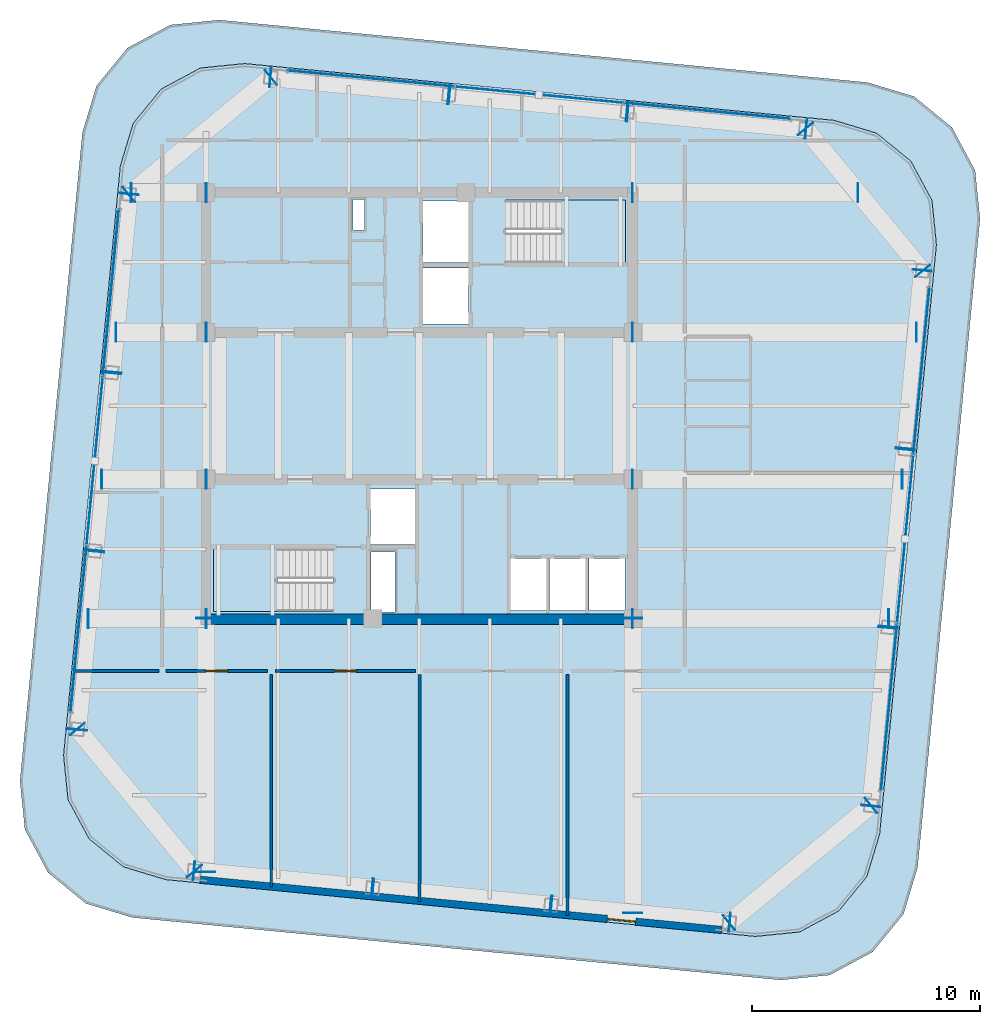
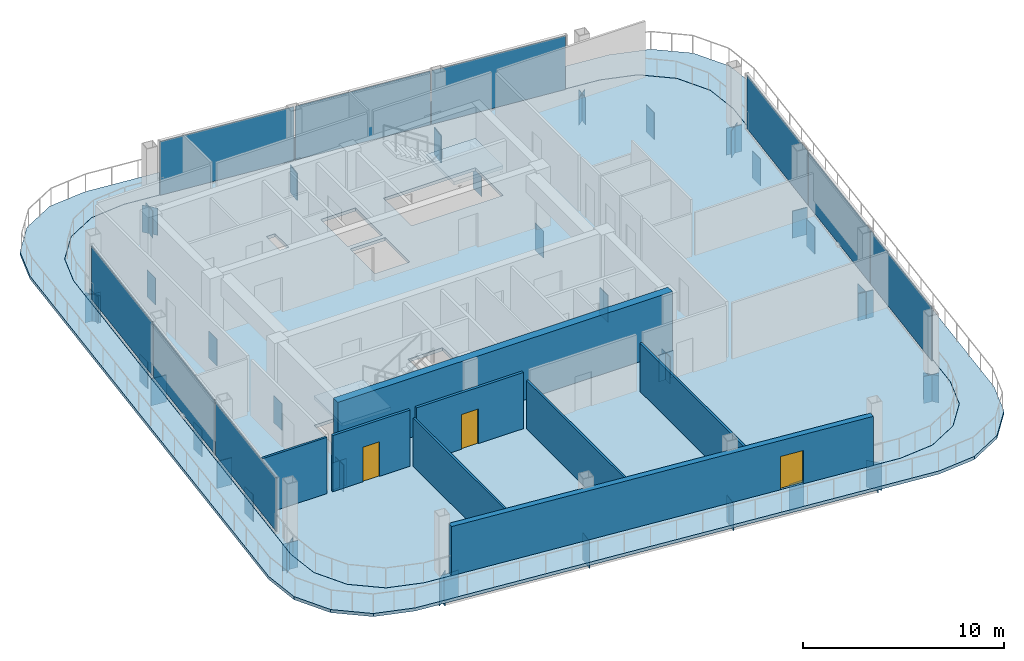
# One storey, part 12 of 20: 61 plates, 8 walls, 4 slabs, 3 doors, 3 openings, 5 elements without a shape of their own.
"""IFC4 building model written with IfcOpenShell, lengths in metres."""

from ifc_helpers import new_model, si_unit, direction, frame, frame_2d, origin, origin_2d, place, context, subcontext, project, spatial, polyline, rectangle, outline, extrude, material, layer, layer_set, type_object, element, fill, aggregate, save


model = new_model("IFC4")

# Units and contexts
model_context = context("Model", 3, precision=1e-05, world=origin(), true_north=direction((0.0, 1.0)))
body_context = subcontext(model_context, "Body", "Model", "MODEL_VIEW")
ifc_project = project(units=[si_unit("LENGTHUNIT", "METRE"), si_unit("AREAUNIT", "SQUARE_METRE"), si_unit("VOLUMEUNIT", "CUBIC_METRE"), si_unit("PLANEANGLEUNIT", "RADIAN"), si_unit("MASSUNIT", "GRAM", prefix="KILO")], contexts=[model_context])

# Site, building, storey
site_placement = place(None, origin())
site = spatial("IfcSite", under=ifc_project, at=site_placement, CompositionType="ELEMENT")
building_placement = place(site_placement, origin())
building = spatial("IfcBuilding", under=site, at=building_placement, Name="Qhalaya Broadcast Tower", CompositionType="ELEMENT")
storey_placement = place(building_placement, frame((0.0, 0.0, 273.35009765625)))
storey = spatial("IfcBuildingStorey", under=building, at=storey_placement, Name="L81", CompositionType="ELEMENT", Elevation=273.35009765625)

# Plates
ifc_material_1 = material(Name="Structural Steel ASTM A572 Grade 50", Category="steel")
ifc_layer_1 = layer(ifc_material_1, 0.4599609375, Name="Structural Steel ASTM A572 Grade 50")
ifc_layer_set_1 = layer_set([ifc_layer_1], Name="Structural Steel ASTM A572 Grade 50")
plate_type_1 = type_object("IfcPlateType", Name="Hollow Box Member End Cap Plate CP-01", PredefinedType="USERDEFINED", material=ifc_layer_set_1)
for number, where, z_axis, x_axis, name in (
    (1, (-9.89892578125, -19.826904296875, -1.81005859375), (0.0, 0.0, 1.0), (0.095828379565, 0.99539787104, 0.0), "L81 Hollow Girder End Cap L81-SPR-01-A"),
    (2, (-2.03662109375, -20.583984375, -1.81005859375), (0.0, 0.0, 1.0), (0.095828379565, 0.99539787104, 0.0), "L81 Hollow Girder End Cap L81-SPR-01-B"),
    (3, (-2.068359375, -20.580810546875, -1.81005859375), (0.0, 0.0, 1.0), (0.09584575252, 0.995396198367, 0.0), "L81 Hollow Girder End Cap L81-SPR-02-A"),
    (4, (5.793701171875, -21.337890625, -1.81005859375), (0.0, 0.0, 1.0), (0.09584575252, 0.995396198367, 0.0), "L81 Hollow Girder End Cap L81-SPR-02-B"),
    (5, (5.761962890625, -21.3349609375, -1.81005859375), (0.0, 0.0, 1.0), (0.09584575252, 0.995396198367, 0.0), "L81 Hollow Girder End Cap L81-SPR-03-A"),
    (6, (13.624267578125, -22.091796875, -1.81005859375), (0.0, 0.0, 1.0), (0.09584575252, 0.995396198367, 0.0), "L81 Hollow Girder End Cap L81-SPR-03-B"),
    (7, (13.59619140625, -22.1005859375, -1.81005859375), (0.0, 0.0, 1.0), (-0.636078220278, 0.771624583388, 0.0), "L81 Hollow Girder End Cap L81-SPR-04-A"),
    (8, (19.8408203125, -16.952880859375, -1.81005859375), (0.0, 0.0, 1.0), (-0.636078220278, 0.771624583388, 0.0), "L81 Hollow Girder End Cap L81-SPR-04-B"),
    (9, (19.826904296875, -16.97900390625, -1.81005859375), (0.0, 0.0, 1.0), (-0.99539787104, 0.095828379565, 0.0), "L81 Hollow Girder End Cap L81-SPR-05-A"),
    (10, (20.583984375, -9.11669921875, -1.81005859375), (0.0, 0.0, 1.0), (-0.99539787104, 0.095828379565, 0.0), "L81 Hollow Girder End Cap L81-SPR-05-B"),
    (11, (20.580810546875, -9.1484375, -1.81005859375), (0.0, 0.0, 1.0), (-0.995396198367, 0.09584575252, 0.0), "L81 Hollow Girder End Cap L81-SPR-06-A"),
    (12, (21.337890625, -1.2861328125, -1.81005859375), (0.0, 0.0, 1.0), (-0.995396198367, 0.09584575252, 0.0), "L81 Hollow Girder End Cap L81-SPR-06-B"),
    (13, (21.3349609375, -1.318115234375, -1.81005859375), (0.0, 0.0, 1.0), (-0.995396198367, 0.09584575252, 0.0), "L81 Hollow Girder End Cap L81-SPR-07-A"),
    (14, (22.091796875, 6.544189453125, -1.81005859375), (0.0, 0.0, 1.0), (-0.995396198367, 0.09584575252, 0.0), "L81 Hollow Girder End Cap L81-SPR-07-B"),
    (15, (22.1005859375, 6.51611328125, -1.81005859375), (0.0, 0.0, 1.0), (-0.771624583388, -0.636078220278, 0.0), "L81 Hollow Girder End Cap L81-SPR-08-A"),
    (16, (16.952880859375, 12.7607421875, -1.81005859375), (0.0, 0.0, 1.0), (-0.771624583388, -0.636078220278, 0.0), "L81 Hollow Girder End Cap L81-SPR-08-B"),
    (17, (16.97900390625, 12.7470703125, -1.81005859375), (0.0, 0.0, 1.0), (-0.095828379565, -0.99539787104, 0.0), "L81 Hollow Girder End Cap L81-SPR-09-A"),
    (18, (9.11669921875, 13.50390625, -1.81005859375), (0.0, 0.0, 1.0), (-0.095828379565, -0.99539787104, 0.0), "L81 Hollow Girder End Cap L81-SPR-09-B"),
    (19, (9.1484375, 13.5009765625, -1.81005859375), (0.0, 0.0, 1.0), (-0.09584575252, -0.995396198367, 0.0), "L81 Hollow Girder End Cap L81-SPR-10-A"),
    (20, (1.2861328125, 14.2578125, -1.81005859375), (0.0, 0.0, 1.0), (-0.09584575252, -0.995396198367, 0.0), "L81 Hollow Girder End Cap L81-SPR-10-B"),
    (21, (1.318115234375, 14.2548828125, -1.81005859375), (0.0, 0.0, 1.0), (-0.09584575252, -0.995396198367, 0.0), "L81 Hollow Girder End Cap L81-SPR-11-A"),
    (22, (-6.544189453125, 15.011962890625, -1.81005859375), (0.0, 0.0, 1.0), (-0.09584575252, -0.995396198367, 0.0), "L81 Hollow Girder End Cap L81-SPR-11-B"),
    (23, (-6.51611328125, 15.0205078125, -1.81005859375), (0.0, 0.0, 1.0), (0.636078220278, -0.771624583388, 0.0), "L81 Hollow Girder End Cap L81-SPR-12-A"),
    (24, (-12.7607421875, 9.872802734375, -1.81005859375), (0.0, 0.0, 1.0), (0.636078220278, -0.771624583388, 0.0), "L81 Hollow Girder End Cap L81-SPR-12-B"),
    (25, (-12.7470703125, 9.89892578125, -1.81005859375), (0.0, 0.0, 1.0), (0.99539787104, -0.095828379565, 0.0), "L81 Hollow Girder End Cap L81-SPR-13-A"),
    (26, (-13.50390625, 2.03662109375, -1.81005859375), (0.0, 0.0, 1.0), (0.99539787104, -0.095828379565, 0.0), "L81 Hollow Girder End Cap L81-SPR-13-B"),
    (27, (-13.5009765625, 2.068359375, -1.81005859375), (0.0, 0.0, 1.0), (0.995396198367, -0.09584575252, 0.0), "L81 Hollow Girder End Cap L81-SPR-14-A"),
    (28, (-14.2578125, -5.793701171875, -1.81005859375), (0.0, 0.0, 1.0), (0.995396198367, -0.09584575252, 0.0), "L81 Hollow Girder End Cap L81-SPR-14-B"),
    (29, (-14.2548828125, -5.761962890625, -1.81005859375), (0.0, 0.0, 1.0), (0.995396198367, -0.09584575252, 0.0), "L81 Hollow Girder End Cap L81-SPR-15-A"),
    (30, (-15.011962890625, -13.624267578125, -1.81005859375), (0.0, 0.0, 1.0), (0.995396198367, -0.09584575252, 0.0), "L81 Hollow Girder End Cap L81-SPR-15-B"),
    (31, (-15.0205078125, -13.59619140625, -1.81005859375), (0.0, 0.0, 1.0), (0.771624583388, 0.636078220278, 0.0), "L81 Hollow Girder End Cap L81-SPR-16-A"),
    (32, (-9.872802734375, -19.8408203125, -1.81005859375), (0.0, 0.0, 1.0), (0.771624583388, 0.636078220278, 0.0), "L81 Hollow Girder End Cap L81-SPR-16-B"),
    (33, (-9.375, -19.873291015625, -1.81005859375), (0.0, 0.0, 1.0), (-1.0, 0.0, 0.0), "L81 Hollow Girder End Cap L81-PGXS1-1-A"),
    (34, (-9.375, -8.73388671875, -1.81005859375), (0.0, 0.0, 1.0), (-1.0, 0.0, 0.0), "L81 Hollow Girder End Cap L81-PGXS1-1-B"),
    (35, (9.375, -21.6787109375, -1.81005859375), (0.0, 0.0, 1.0), (-1.0, 0.0, 0.0), "L81 Hollow Girder End Cap L81-PGXS2-1-A"),
    (36, (9.375, -8.73388671875, -1.81005859375), (0.0, 0.0, 1.0), (-1.0, 0.0, 0.0), "L81 Hollow Girder End Cap L81-PGXS2-1-B"),
    (37, (-14.53857421875, -8.75, -1.81005859375), (0.0, 0.0, 1.0), (0.0, 1.0, 0.0), "L81 Hollow Girder End Cap L81-PGYW1-1-A"),
    (38, (-9.35888671875, -8.75, -1.81005859375), (0.0, 0.0, 1.0), (0.0, 1.0, 0.0), "L81 Hollow Girder End Cap L81-PGYW1-1-B"),
    (39, (9.35888671875, -8.75, -1.81005859375), (0.0, 0.0, 1.0), (0.0, 1.0, 0.0), "L81 Hollow Girder End Cap L81-PGYE1-1-A"),
    (40, (20.614990234375, -8.75, -1.81005859375), (0.0, 0.0, 1.0), (0.0, 1.0, 0.0), "L81 Hollow Girder End Cap L81-PGYE1-1-B"),
    (41, (-13.94873046875, -2.625, -1.81005859375), (0.0, 0.0, 1.0), (0.0, 1.0, 0.0), "L81 Hollow Girder End Cap L81-PGYW2-1-A"),
    (42, (-9.35888671875, -2.625, -1.81005859375), (0.0, 0.0, 1.0), (0.0, 1.0, 0.0), "L81 Hollow Girder End Cap L81-PGYW2-1-B"),
    (43, (9.35888671875, -2.625, -1.81005859375), (0.0, 0.0, 1.0), (0.0, 1.0, 0.0), "L81 Hollow Girder End Cap L81-PGYE2-1-A"),
    (44, (21.204833984375, -2.625, -1.81005859375), (0.0, 0.0, 1.0), (0.0, 1.0, 0.0), "L81 Hollow Girder End Cap L81-PGYE2-1-B"),
    (45, (-13.32763671875, 3.824951171875, -1.81005859375), (0.0, 0.0, 1.0), (0.0, 1.0, 0.0), "L81 Hollow Girder End Cap L81-PGYW3-1-A"),
    (46, (-9.35888671875, 3.824951171875, -1.81005859375), (0.0, 0.0, 1.0), (0.0, 1.0, 0.0), "L81 Hollow Girder End Cap L81-PGYW3-1-B"),
    (47, (9.35888671875, 3.824951171875, -1.81005859375), (0.0, 0.0, 1.0), (0.0, 1.0, 0.0), "L81 Hollow Girder End Cap L81-PGYE3-1-A"),
    (48, (21.825927734375, 3.824951171875, -1.81005859375), (0.0, 0.0, 1.0), (0.0, 1.0, 0.0), "L81 Hollow Girder End Cap L81-PGYE3-1-B"),
    (49, (-12.65185546875, 9.949951171875, -1.81005859375), (0.0, 0.0, 1.0), (0.0, 1.0, 0.0), "L81 Hollow Girder End Cap L81-PGYW4-1-A"),
    (50, (-9.35888671875, 9.949951171875, -1.81005859375), (0.0, 0.0, 1.0), (0.0, 1.0, 0.0), "L81 Hollow Girder End Cap L81-PGYW4-1-B"),
    (51, (9.35888671875, 9.949951171875, -1.81005859375), (0.0, 0.0, 1.0), (0.0, 1.0, 0.0), "L81 Hollow Girder End Cap L81-PGYE4-1-A"),
    (52, (19.260009765625, 9.949951171875, -1.81005859375), (0.0, 0.0, 1.0), (0.0, 1.0, 0.0), "L81 Hollow Girder End Cap L81-PGYE4-1-B"),
):
    element("IfcPlate", number, at=place(storey_placement, frame(where, z_axis=z_axis, x_axis=x_axis)), inside=storey, type_object=plate_type_1, Name=name, ObjectType="COVER_PLATE", PredefinedType="USERDEFINED", context=body_context, shape_type="SweptSolid", body=[
        extrude(rectangle(XDim=0.840087890625, YDim=0.031982421875, at=origin_2d()), origin(), (0.0, 0.0, 1.0), 1.639892578125),
    ])

# Slab
ifc_material_2 = material(Name="Concrete C40/50", Category="concrete")
ifc_layer_2 = layer(ifc_material_2, 0.25, Name="Concrete C40/50")
ifc_layer_set_2 = layer_set([ifc_layer_2], Name="Concrete C40/50")
slab_type_1 = type_object("IfcSlabType", Name="Planted Sky-Garden & Sky-Pool External Terrace Slab 250", PredefinedType="FLOOR", material=ifc_layer_set_2)
slab_1_placement = place(storey_placement, frame((0.0, 0.0, -0.190185546875)))
element("IfcSlab", 53, at=slab_1_placement, inside=storey, type_object=slab_type_1, Name="L81 Planted Parapet Garden Terrace 1", PredefinedType="FLOOR", context=body_context, shape_type="SweptSolid", body=[
    extrude(outline(polyline([(15.87646484375, -24.619384765625), (18.01171875, -24.404296875), (19.902099609375, -23.388671875), (21.259765625, -21.726806640625), (21.87841796875, -19.671875), (24.619384765625, 8.79638671875), (24.404296875, 10.931640625), (23.388671875, 12.822021484375), (21.726806640625, 14.1796875), (19.671875, 14.79833984375), (-8.79638671875, 17.539306640625), (-10.931640625, 17.324462890625), (-12.822021484375, 16.30859375), (-14.1796875, 14.64697265625), (-14.79833984375, 12.591796875), (-17.539306640625, -15.87646484375), (-17.324462890625, -18.01171875), (-16.30859375, -19.902099609375), (-14.64697265625, -21.259765625), (-12.591796875, -21.87841796875), (15.87646484375, -24.619384765625)]), holes=[polyline([(14.75439453125, -22.70703125), (-11.125732421875, -20.215087890625), (-11.126220703125, -20.215087890625), (-11.126708984375, -20.21484375), (-12.99462890625, -19.652587890625), (-12.9951171875, -19.652587890625), (-12.995361328125, -19.65234375), (-12.99560546875, -19.652099609375), (-12.99609375, -19.652099609375), (-14.5068359375, -18.41748046875), (-14.507080078125, -18.417236328125), (-14.50732421875, -18.4169921875), (-14.507568359375, -18.416748046875), (-14.5078125, -18.41650390625), (-15.43115234375, -16.697998046875), (-15.431396484375, -16.697509765625), (-15.431396484375, -16.697265625), (-15.431640625, -16.69677734375), (-15.431640625, -16.6962890625), (-15.627197265625, -14.75537109375), (-15.627197265625, -14.7548828125), (-15.627197265625, -14.75439453125), (-13.135009765625, 11.125732421875), (-13.135009765625, 11.126220703125), (-13.135009765625, 11.126708984375), (-12.57275390625, 12.99462890625), (-12.572509765625, 12.9951171875), (-12.572509765625, 12.995361328125), (-12.572265625, 12.99560546875), (-12.572021484375, 12.99609375), (-11.337646484375, 14.5068359375), (-11.33740234375, 14.507080078125), (-11.3369140625, 14.50732421875), (-11.336669921875, 14.507568359375), (-11.33642578125, 14.5078125), (-9.617919921875, 15.43115234375), (-9.617431640625, 15.431396484375), (-9.6171875, 15.431396484375), (-9.61669921875, 15.431640625), (-9.616455078125, 15.431640625), (-7.67529296875, 15.627197265625), (-7.6748046875, 15.627197265625), (-7.674560546875, 15.627197265625), (18.205810546875, 13.135009765625), (18.206298828125, 13.135009765625), (18.20654296875, 13.135009765625), (20.07470703125, 12.57275390625), (20.074951171875, 12.572509765625), (20.075439453125, 12.572509765625), (20.07568359375, 12.572265625), (20.075927734375, 12.572021484375), (21.5869140625, 11.337646484375), (21.587158203125, 11.33740234375), (21.58740234375, 11.3369140625), (21.587646484375, 11.336669921875), (21.587890625, 11.33642578125), (22.51123046875, 9.617919921875), (22.511474609375, 9.617431640625), (22.511474609375, 9.6171875), (22.51171875, 9.61669921875), (22.51171875, 9.616455078125), (22.70703125, 7.67529296875), (22.70703125, 7.6748046875), (22.70703125, 7.674560546875), (20.215087890625, -18.205810546875), (20.215087890625, -18.206298828125), (20.21484375, -18.20654296875), (19.652587890625, -20.07470703125), (19.652587890625, -20.074951171875), (19.65234375, -20.075439453125), (19.652099609375, -20.07568359375), (19.652099609375, -20.075927734375), (18.41748046875, -21.5869140625), (18.417236328125, -21.587158203125), (18.4169921875, -21.58740234375), (18.416748046875, -21.587646484375), (18.41650390625, -21.587890625), (16.697998046875, -22.51123046875), (16.697509765625, -22.511474609375), (16.697265625, -22.511474609375), (16.69677734375, -22.51171875), (16.6962890625, -22.51171875), (14.75537109375, -22.70703125), (14.7548828125, -22.70703125), (14.75439453125, -22.70703125)])]), origin(), (0.0, 0.0, 1.0), 0.190185546875),
])

# Curtain wall, plates
ifc_material_3 = material(Name="Solar-Control Low-E Triple Glazing", Category="glass")
ifc_layer_3 = layer(ifc_material_3, 0.219970703125, Name="Solar-Control Low-E Triple Glazing")
ifc_layer_set_3 = layer_set([ifc_layer_3], Name="Solar-Control Low-E Triple Glazing")
curtain_wall_type = type_object("IfcCurtainWallType", Name="Crown Garden & Observation Windscreen Curtain Wall CW-06", PredefinedType="NOTDEFINED", material=ifc_layer_set_3)
curtain_wall_1_placement = place(storey_placement, origin())
curtain_wall_1 = element("IfcCurtainWall", 54, at=curtain_wall_1_placement, inside=storey, type_object=curtain_wall_type, Name="L81 Unitised Curtain Wall L81-CW-E", PredefinedType="NOTDEFINED")
ifc_layer_4 = layer(ifc_material_3, 0.030029296875, Name="Solar-Control Low-E Triple Glazing")
ifc_layer_set_4 = layer_set([ifc_layer_4], Name="Solar-Control Low-E Triple Glazing")
plate_type_2 = type_object("IfcPlateType", Name="Solar-Control Curtain Glazing Panel GLP-06", PredefinedType="CURTAIN_PANEL", material=ifc_layer_set_4)
plate_1_placement = place(storey_placement, frame((20.626953125, -12.63427734375, 0.07470703125), z_axis=(0.0, 0.0, 1.0), x_axis=(0.095847667974, 0.995396013928, 0.0)))
plate_1 = element("IfcPlate", 55, at=plate_1_placement, type_object=plate_type_2, Name="CW-06 panel 1.1", PredefinedType="CURTAIN_PANEL", context=body_context, shape_type="SweptSolid", body=[
    extrude(rectangle(XDim=7.32080078125, YDim=0.030029296875, at=origin_2d()), origin(), (0.0, 0.0, 1.0), 3.260009765625),
])
plate_2_placement = place(storey_placement, frame((21.337646484375, -5.253662109375, 0.07470703125), z_axis=(0.0, 0.0, 1.0), x_axis=(0.095847667974, 0.995396013928, 0.0)))
plate_2 = element("IfcPlate", 56, at=plate_2_placement, type_object=plate_type_2, Name="CW-06 panel 2.1", PredefinedType="CURTAIN_PANEL", context=body_context, shape_type="SweptSolid", body=[
    extrude(rectangle(XDim=7.3583984375, YDim=0.030029296875, at=origin_2d()), origin(), (0.0, 0.0, 1.0), 3.260009765625),
])
plate_3_placement = place(storey_placement, frame((22.04833984375, 2.126708984375, 0.07470703125), z_axis=(0.0, 0.0, 1.0), x_axis=(0.095847667974, 0.995396013928, 0.0)))
plate_3 = element("IfcPlate", 57, at=plate_3_placement, type_object=plate_type_2, Name="CW-06 panel 3.1", PredefinedType="CURTAIN_PANEL", context=body_context, shape_type="SweptSolid", body=[
    extrude(rectangle(XDim=7.32080078125, YDim=0.030029296875, at=origin_2d()), origin(), (0.0, 0.0, 1.0), 3.260009765625),
])
aggregate(curtain_wall_1, [plate_1, plate_2, plate_3])

curtain_wall_2_placement = place(storey_placement, origin())
curtain_wall_2 = element("IfcCurtainWall", 58, at=curtain_wall_2_placement, inside=storey, type_object=curtain_wall_type, Name="L81 Unitised Curtain Wall L81-CW-N", PredefinedType="NOTDEFINED")
plate_4_placement = place(storey_placement, frame((12.63427734375, 13.547119140625, 0.07470703125), z_axis=(0.0, 0.0, 1.0), x_axis=(-0.995396013928, 0.095847667974, 0.0)))
plate_4 = element("IfcPlate", 59, at=plate_4_placement, type_object=plate_type_2, Name="CW-06 panel 1.1", PredefinedType="CURTAIN_PANEL", context=body_context, shape_type="SweptSolid", body=[
    extrude(rectangle(XDim=7.32080078125, YDim=0.030029296875, at=origin_2d()), origin(), (0.0, 0.0, 1.0), 3.260009765625),
])
plate_5_placement = place(storey_placement, frame((5.253662109375, 14.2578125, 0.07470703125), z_axis=(0.0, 0.0, 1.0), x_axis=(-0.995396013928, 0.095847667974, 0.0)))
plate_5 = element("IfcPlate", 60, at=plate_5_placement, type_object=plate_type_2, Name="CW-06 panel 2.1", PredefinedType="CURTAIN_PANEL", context=body_context, shape_type="SweptSolid", body=[
    extrude(rectangle(XDim=7.3583984375, YDim=0.030029296875, at=origin_2d()), origin(), (0.0, 0.0, 1.0), 3.260009765625),
])
plate_6_placement = place(storey_placement, frame((-2.126708984375, 14.96826171875, 0.07470703125), z_axis=(0.0, 0.0, 1.0), x_axis=(-0.995396013928, 0.095847667974, 0.0)))
plate_6 = element("IfcPlate", 61, at=plate_6_placement, type_object=plate_type_2, Name="CW-06 panel 3.1", PredefinedType="CURTAIN_PANEL", context=body_context, shape_type="SweptSolid", body=[
    extrude(rectangle(XDim=7.32080078125, YDim=0.030029296875, at=origin_2d()), origin(), (0.0, 0.0, 1.0), 3.260009765625),
])
aggregate(curtain_wall_2, [plate_4, plate_5, plate_6])

curtain_wall_3_placement = place(storey_placement, origin())
curtain_wall_3 = element("IfcCurtainWall", 62, at=curtain_wall_3_placement, inside=storey, type_object=curtain_wall_type, Name="L81 Unitised Curtain Wall L81-CW-W", PredefinedType="NOTDEFINED")
plate_7_placement = place(storey_placement, frame((-13.547119140625, 5.55419921875, 0.07470703125), z_axis=(0.0, 0.0, 1.0), x_axis=(-0.095847667974, -0.995396013928, 0.0)))
plate_7 = element("IfcPlate", 63, at=plate_7_placement, type_object=plate_type_2, Name="CW-06 panel 1.1", PredefinedType="CURTAIN_PANEL", context=body_context, shape_type="SweptSolid", body=[
    extrude(rectangle(XDim=7.32080078125, YDim=0.030029296875, at=origin_2d()), origin(), (0.0, 0.0, 1.0), 3.260009765625),
])
plate_8_placement = place(storey_placement, frame((-14.2578125, -1.826171875, 0.07470703125), z_axis=(0.0, 0.0, 1.0), x_axis=(-0.095847667974, -0.995396013928, 0.0)))
plate_8 = element("IfcPlate", 64, at=plate_8_placement, type_object=plate_type_2, Name="CW-06 panel 2.1", PredefinedType="CURTAIN_PANEL", context=body_context, shape_type="SweptSolid", body=[
    extrude(rectangle(XDim=7.3583984375, YDim=0.030029296875, at=origin_2d()), origin(), (0.0, 0.0, 1.0), 3.260009765625),
])
plate_9_placement = place(storey_placement, frame((-14.96826171875, -9.206787109375, 0.07470703125), z_axis=(0.0, 0.0, 1.0), x_axis=(-0.095847667974, -0.995396013928, 0.0)))
plate_9 = element("IfcPlate", 65, at=plate_9_placement, type_object=plate_type_2, Name="CW-06 panel 3.1", PredefinedType="CURTAIN_PANEL", context=body_context, shape_type="SweptSolid", body=[
    extrude(rectangle(XDim=7.32080078125, YDim=0.030029296875, at=origin_2d()), origin(), (0.0, 0.0, 1.0), 3.260009765625),
])
aggregate(curtain_wall_3, [plate_7, plate_8, plate_9])

# Stair, slab
stair_type = type_object("IfcStairType", Name="Protected Dogleg Core Stair 3600", PredefinedType="TWO_STRAIGHT_RUN_STAIR", material=ifc_material_2)
stair_1_placement = place(storey_placement, origin())
stair_1 = element("IfcStair", 66, at=stair_1_placement, inside=storey, type_object=stair_type, Name="L81 North Core Exit Stair ST-1", PredefinedType="TWO_STRAIGHT_RUN_STAIR")
ifc_layer_5 = layer(ifc_material_2, 0.199951171875, Name="Concrete C40/50")
ifc_layer_set_5 = layer_set([ifc_layer_5], Name="Concrete C40/50")
slab_type_2 = type_object("IfcSlabType", Name="Stair & Ramp Half-Landing Slab 200", PredefinedType="LANDING", material=ifc_layer_set_5)
slab_2_placement = place(storey_placement, frame((0.0, 0.0, 1.599853515625)))
slab_2 = element("IfcSlab", 67, at=slab_2_placement, type_object=slab_type_2, Name="ST-1 landing 1", PredefinedType="LANDING", context=body_context, shape_type="SweptSolid", body=[
    extrude(outline(polyline([(6.235107421875, 6.8798828125), (9.050048828125, 6.8798828125), (9.050048828125, 9.639892578125), (6.235107421875, 9.639892578125), (6.235107421875, 6.8798828125)])), origin(), (0.0, 0.0, 1.0), 0.199951171875),
])
aggregate(stair_1, [slab_2])

stair_2_placement = place(storey_placement, origin())
stair_2 = element("IfcStair", 68, at=stair_2_placement, inside=storey, type_object=stair_type, Name="L81 South Core Exit Stair ST-2", PredefinedType="TWO_STRAIGHT_RUN_STAIR")
slab_3_placement = place(storey_placement, frame((0.0, 0.0, 1.599853515625)))
slab_3 = element("IfcSlab", 69, at=slab_3_placement, type_object=slab_type_2, Name="ST-2 landing 1", PredefinedType="LANDING", context=body_context, shape_type="SweptSolid", body=[
    extrude(outline(polyline([(-6.235107421875, -5.679931640625), (-9.050048828125, -5.679931640625), (-9.050048828125, -8.43994140625), (-6.235107421875, -8.43994140625), (-6.235107421875, -5.679931640625)])), origin(), (0.0, 0.0, 1.0), 0.199951171875),
])
aggregate(stair_2, [slab_3])

# Slab
ifc_layer_6 = layer(ifc_material_2, 0.18994140625, Name="Concrete C40/50")
ifc_layer_set_6 = layer_set([ifc_layer_6], Name="Concrete C40/50")
slab_type_3 = type_object("IfcSlabType", Name="Upper Tower Composite Floor Slab 190", PredefinedType="FLOOR", material=ifc_layer_set_6)
slab_4_placement = place(storey_placement, frame((0.0, 0.0, -0.190185546875)))
element("IfcSlab", 70, at=slab_4_placement, inside=storey, type_object=slab_type_3, Name="L81 Main Structural Floor Slab", PredefinedType="FLOOR", context=body_context, shape_type="SweptSolid", body=[
    extrude(outline(polyline([(14.7548828125, -22.703125), (16.696044921875, -22.5078125), (18.41455078125, -21.584228515625), (19.64892578125, -20.073486328125), (20.211181640625, -18.205322265625), (22.703125, 7.6748046875), (22.5078125, 9.615966796875), (21.584228515625, 11.33447265625), (20.073486328125, 12.56884765625), (18.205322265625, 13.131103515625), (-7.6748046875, 15.623046875), (-9.615966796875, 15.427734375), (-11.33447265625, 14.50439453125), (-12.56884765625, 12.993408203125), (-13.131103515625, 11.12548828125), (-15.623046875, -14.7548828125), (-15.427734375, -16.696044921875), (-14.50439453125, -18.41455078125), (-12.993408203125, -19.64892578125), (-11.12548828125, -20.211181640625), (14.7548828125, -22.703125)]), holes=[polyline([(3.784912109375, 9.639892578125), (9.050048828125, 9.639892578125), (9.050048828125, 6.8798828125), (3.784912109375, 6.8798828125), (3.784912109375, 9.639892578125)]), polyline([(-3.784912109375, -8.43994140625), (-9.050048828125, -8.43994140625), (-9.050048828125, -5.679931640625), (-3.784912109375, -5.679931640625), (-3.784912109375, -8.43994140625)]), polyline([(0.14990234375, 6.64990234375), (2.14990234375, 6.64990234375), (2.14990234375, 4.199951171875), (0.14990234375, 4.199951171875), (0.14990234375, 6.64990234375)]), polyline([(0.14990234375, 9.60009765625), (2.14990234375, 9.60009765625), (2.14990234375, 6.89990234375), (0.14990234375, 6.89990234375), (0.14990234375, 9.60009765625)]), polyline([(-2.14990234375, -3.050048828125), (-0.14990234375, -3.050048828125), (-0.14990234375, -5.5), (-2.14990234375, -5.5), (-2.14990234375, -3.050048828125)]), polyline([(4.0, -6.10009765625), (5.60009765625, -6.10009765625), (5.60009765625, -8.39990234375), (4.0, -8.39990234375), (4.0, -6.10009765625)]), polyline([(5.719970703125, -6.10009765625), (7.320068359375, -6.10009765625), (7.320068359375, -8.39990234375), (5.719970703125, -8.39990234375), (5.719970703125, -6.10009765625)]), polyline([(7.43994140625, -6.10009765625), (9.0400390625, -6.10009765625), (9.0400390625, -8.39990234375), (7.43994140625, -8.39990234375), (7.43994140625, -6.10009765625)]), polyline([(-2.919921875, 9.659912109375), (-2.419921875, 9.659912109375), (-2.419921875, 8.320068359375), (-2.919921875, 8.320068359375), (-2.919921875, 9.659912109375)]), polyline([(-2.1201171875, -5.820068359375), (-1.080078125, -5.820068359375), (-1.080078125, -8.4599609375), (-2.1201171875, -8.4599609375), (-2.1201171875, -5.820068359375)])]), origin(), (0.0, 0.0, 1.0), 0.190185546875),
])

# Wall, opening, door
ifc_material_4 = material(Name="Gypsum Acoustic Partition")
ifc_layer_7 = layer(ifc_material_4, 0.14990234375, Name="Gypsum Acoustic Partition")
ifc_layer_set_7 = layer_set([ifc_layer_7], Name="Gypsum Acoustic Partition")
wall_type_1 = type_object("IfcWallType", Name="Corridor & Tenancy Acoustic Partition 150", PredefinedType="PARTITIONING", material=ifc_layer_set_7)
wall_1_placement = place(storey_placement, frame((-11.1201171875, -11.050048828125, 0.0), z_axis=(0.0, 0.0, 1.0), x_axis=(1.0, 0.0, 0.0)))
wall_1 = element("IfcWall", 71, at=wall_1_placement, inside=storey, type_object=wall_type_1, Name="L81 Partition Wall W-COR-04", PredefinedType="PARTITIONING", context=body_context, shape_type="SweptSolid", body=[
    extrude(rectangle(XDim=4.440185546875, YDim=0.14990234375, at=frame_2d((2.22021484375, 0.0))), origin(), (0.0, 0.0, 1.0), 3.409912109375),
])
opening_1_placement = place(wall_1_placement, frame((1.7451171875, 0.0, 0.0)))
opening_1 = element("IfcOpeningElement", 72, at=opening_1_placement, cuts=wall_1, Name="Opening D10", PredefinedType="OPENING", context=body_context, shape_type="SweptSolid", body=[
    extrude(rectangle(XDim=0.949951171875, YDim=2.10009765625, at=frame_2d((0.47509765625, 1.050048828125))), frame((0.0, 0.0869140625, 0.0), z_axis=(0.0, -1.0, 0.0), x_axis=(1.0, 0.0, 0.0)), (0.0, 0.0, 1.0), 0.173828125),
])
ifc_material_5 = material(Name="Timber Veneer Acoustic Door", Category="wood")
door_type_1 = type_object("IfcDoorType", Name="Cellular Office & Edit Booth Door D10", OperationType="NOTDEFINED", PredefinedType="DOOR", material=ifc_material_5)
door_1_placement = place(opening_1_placement, origin())
door_1 = element("IfcDoor", 73, at=door_1_placement, inside=storey, type_object=door_type_1, Name="L81 Door D-RM04", OperationType="SINGLE_SWING_RIGHT", OverallHeight=2.10009765625, OverallWidth=0.949951171875, PredefinedType="DOOR", context=body_context, shape_type="SweptSolid", body=[
    extrude(rectangle(XDim=0.949951171875, YDim=2.10009765625, at=frame_2d((0.47509765625, 1.050048828125))), frame((0.0, 0.02490234375, 0.0), z_axis=(0.0, -1.0, 0.0), x_axis=(1.0, 0.0, 0.0)), (0.0, 0.0, 1.0), 0.050048828125),
])
fill(opening_1, door_1)

wall_2_placement = place(storey_placement, frame((-6.320068359375, -11.050048828125, 0.0), z_axis=(0.0, 0.0, 1.0), x_axis=(1.0, 0.0, 0.0)))
wall_2 = element("IfcWall", 74, at=wall_2_placement, inside=storey, type_object=wall_type_1, Name="L81 Partition Wall W-COR-05", PredefinedType="PARTITIONING", context=body_context, shape_type="SweptSolid", body=[
    extrude(rectangle(XDim=6.14013671875, YDim=0.14990234375, at=frame_2d((3.070068359375, 0.0))), origin(), (0.0, 0.0, 1.0), 3.409912109375),
])
opening_2_placement = place(wall_2_placement, frame((2.594970703125, 0.0, 0.0)))
opening_2 = element("IfcOpeningElement", 75, at=opening_2_placement, cuts=wall_2, Name="Opening D10", PredefinedType="OPENING", context=body_context, shape_type="SweptSolid", body=[
    extrude(rectangle(XDim=0.949951171875, YDim=2.10009765625, at=frame_2d((0.47509765625, 1.050048828125))), frame((0.0, 0.0869140625, 0.0), z_axis=(0.0, -1.0, 0.0), x_axis=(1.0, 0.0, 0.0)), (0.0, 0.0, 1.0), 0.173828125),
])
door_2_placement = place(opening_2_placement, origin())
door_2 = element("IfcDoor", 76, at=door_2_placement, inside=storey, type_object=door_type_1, Name="L81 Door D-RM05", OperationType="SINGLE_SWING_LEFT", OverallHeight=2.10009765625, OverallWidth=0.949951171875, PredefinedType="DOOR", context=body_context, shape_type="SweptSolid", body=[
    extrude(rectangle(XDim=0.949951171875, YDim=2.10009765625, at=frame_2d((0.47509765625, 1.050048828125))), frame((0.0, 0.02490234375, 0.0), z_axis=(0.0, -1.0, 0.0), x_axis=(1.0, 0.0, 0.0)), (0.0, 0.0, 1.0), 0.050048828125),
])
fill(opening_2, door_2)

# Walls
ifc_layer_8 = layer(ifc_material_4, 0.1201171875, Name="Gypsum Acoustic Partition")
ifc_layer_set_8 = layer_set([ifc_layer_8], Name="Gypsum Acoustic Partition")
wall_type_2 = type_object("IfcWallType", Name="Office, Booth & Sanitary Partition 120", PredefinedType="PARTITIONING", material=ifc_layer_set_8)
wall_3_placement = place(storey_placement, frame((-15.145751953125, -11.050048828125, 0.0), z_axis=(0.0, 0.0, 1.0), x_axis=(1.0, 0.0, 0.0)))
element("IfcWall", 77, at=wall_3_placement, inside=storey, type_object=wall_type_2, Name="L81 Partition Wall W-BNDW2", PredefinedType="PARTITIONING", context=body_context, shape_type="SweptSolid", body=[
    extrude(rectangle(XDim=3.705810546875, YDim=0.1201171875, at=frame_2d((1.85302734375, 0.0))), origin(), (0.0, 0.0, 1.0), 3.409912109375),
])
wall_4_placement = place(storey_placement, frame((-6.5, -20.535888671875, 0.0), z_axis=(0.0, 0.0, 1.0), x_axis=(0.0, 1.0, 0.0)))
element("IfcWall", 78, at=wall_4_placement, inside=storey, type_object=wall_type_2, Name="L81 Partition Wall W-DIVS1", PredefinedType="PARTITIONING", context=body_context, shape_type="SweptSolid", body=[
    extrude(rectangle(XDim=9.325927734375, YDim=0.1201171875, at=frame_2d((4.6630859375, 0.0))), origin(), (0.0, 0.0, 1.0), 2.930908203125),
])
wall_5_placement = place(storey_placement, frame((0.0, -21.161865234375, 0.0), z_axis=(0.0, 0.0, 1.0), x_axis=(0.0, 1.0, 0.0)))
element("IfcWall", 79, at=wall_5_placement, inside=storey, type_object=wall_type_2, Name="L81 Partition Wall W-DIVS2", PredefinedType="PARTITIONING", context=body_context, shape_type="SweptSolid", body=[
    extrude(rectangle(XDim=9.951904296875, YDim=0.1201171875, at=frame_2d((4.97607421875, 0.0))), origin(), (0.0, 0.0, 1.0), 2.930908203125),
])
wall_6_placement = place(storey_placement, frame((6.5, -21.78759765625, 0.0), z_axis=(0.0, 0.0, 1.0), x_axis=(0.0, 1.0, 0.0)))
element("IfcWall", 80, at=wall_6_placement, inside=storey, type_object=wall_type_2, Name="L81 Partition Wall W-DIVS3", PredefinedType="PARTITIONING", context=body_context, shape_type="SweptSolid", body=[
    extrude(rectangle(XDim=10.57763671875, YDim=0.1201171875, at=frame_2d((5.288818359375, 0.0))), origin(), (0.0, 0.0, 1.0), 2.930908203125),
])

# Wall, opening, door
ifc_material_6 = material(Name="Precast Concrete C40/50", Category="concrete")
ifc_layer_9 = layer(ifc_material_6, 0.320068359375, Name="Precast Concrete C40/50")
ifc_layer_set_9 = layer_set([ifc_layer_9], Name="Precast Concrete C40/50")
wall_type_3 = type_object("IfcWallType", Name="Recessed Neck Insulated Exterior Wall 320", PredefinedType="SOLIDWALL", material=ifc_layer_set_9)
wall_7_placement = place(storey_placement, frame((13.287109375, -22.421142578125, 0.0), z_axis=(0.0, 0.0, 1.0), x_axis=(-0.995396042099, 0.095847375411, 0.0)))
wall_7 = element("IfcWall", 81, at=wall_7_placement, inside=storey, type_object=wall_type_3, Name="L81 Exterior Facade Wall S", PredefinedType="SOLIDWALL", context=body_context, shape_type="SweptSolid", body=[
    extrude(rectangle(XDim=23.02392578125, YDim=0.320068359375, at=frame_2d((11.511962890625, 0.0))), origin(), (0.0, 0.0, 1.0), 2.98388671875),
])
opening_3_placement = place(wall_7_placement, frame((3.81103515625, 0.0, 0.0)))
opening_3 = element("IfcOpeningElement", 82, at=opening_3_placement, cuts=wall_7, Name="Opening D13", PredefinedType="OPENING", context=body_context, shape_type="SweptSolid", body=[
    extrude(rectangle(XDim=1.25, YDim=2.02001953125, at=frame_2d((0.625, 1.010009765625))), frame((0.0, 0.172119140625, 0.0), z_axis=(0.0, -1.0, 0.0), x_axis=(1.0, 0.0, 0.0)), (0.0, 0.0, 1.0), 0.343994140625),
])
ifc_material_7 = material(Name="Anodised Aluminium Glazed Door", Category="aluminium")
door_type_2 = type_object("IfcDoorType", Name="Sky-Garden, Sky-Pool & Lookout Terrace Door D13", OperationType="NOTDEFINED", PredefinedType="DOOR", material=ifc_material_7)
door_3_placement = place(opening_3_placement, origin())
door_3 = element("IfcDoor", 83, at=door_3_placement, inside=storey, type_object=door_type_2, Name="L81 Outdoor Terrace Access Door S", OperationType="SINGLE_SWING_RIGHT", OverallHeight=2.02001953125, OverallWidth=1.25, PredefinedType="DOOR", context=body_context, shape_type="SweptSolid", body=[
    extrude(rectangle(XDim=1.25, YDim=2.02001953125, at=frame_2d((0.625, 1.010009765625))), frame((0.0, 0.02490234375, 0.0), z_axis=(0.0, -1.0, 0.0), x_axis=(1.0, 0.0, 0.0)), (0.0, 0.0, 1.0), 0.050048828125),
])
fill(opening_3, door_3)

# Wall
ifc_material_8 = material(Name="Concrete C50/60", Category="concrete")
ifc_layer_10 = layer(ifc_material_8, 0.449951171875, Name="Concrete C50/60")
ifc_layer_set_10 = layer_set([ifc_layer_10], Name="Concrete C50/60")
wall_type_4 = type_object("IfcWallType", Name="Upper Split-Core Shear Wall 450", PredefinedType="SHEAR", material=ifc_layer_set_10)
wall_8_placement = place(storey_placement, frame((-9.60009765625, -8.77490234375, 0.0), z_axis=(0.0, 0.0, 1.0), x_axis=(1.0, 0.0, 0.0)))
element("IfcWall", 84, at=wall_8_placement, inside=storey, type_object=wall_type_4, Name="L81 Split-Core Shear Wall CW-SS", PredefinedType="SHEAR", context=body_context, shape_type="SweptSolid", body=[
    extrude(rectangle(XDim=19.2001953125, YDim=0.449951171875, at=frame_2d((9.60009765625, 0.0))), origin(), (0.0, 0.0, 1.0), 3.599853515625),
])

save(model, "model.ifc")
